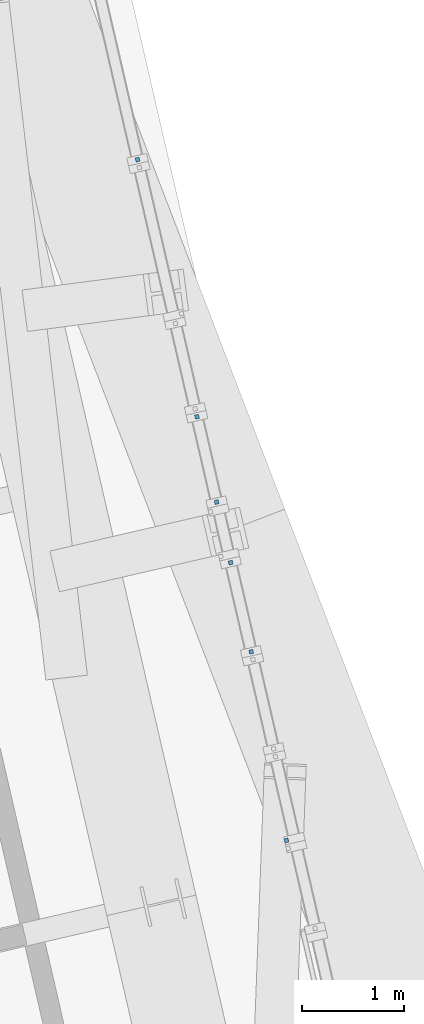
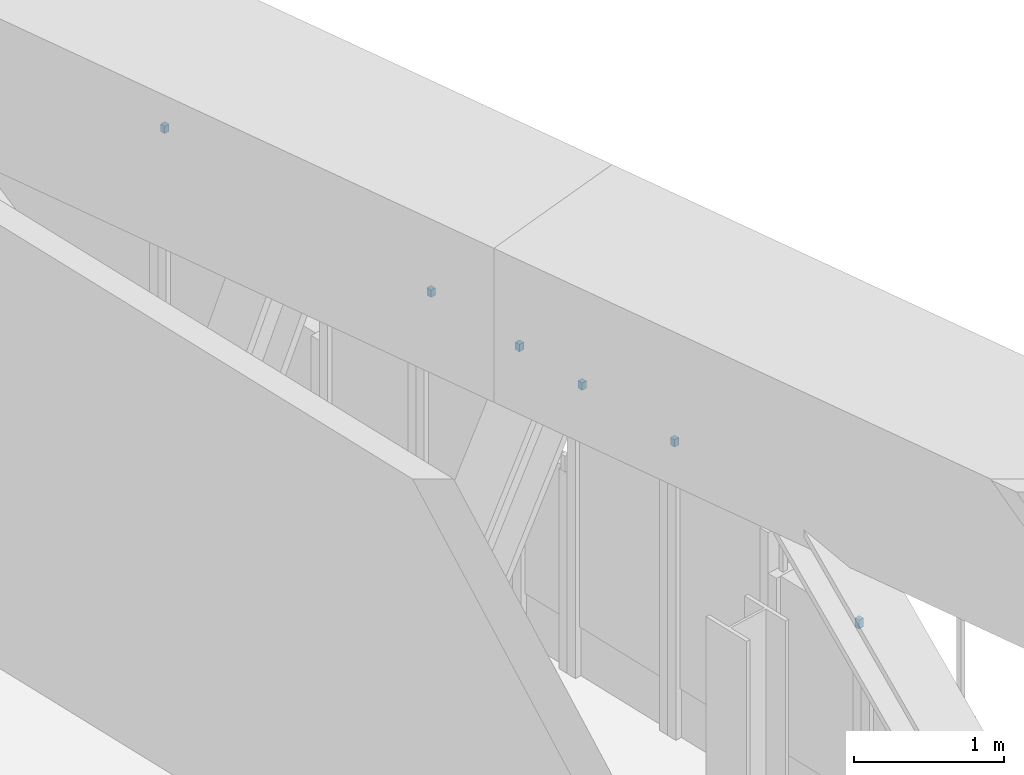
# One storey, part 27 of 31: 6 discrete accessories.
"""IFC4 building model written with IfcOpenShell, lengths in metres."""

from ifc_helpers import new_model, si_unit, direction, frame, origin, origin_2d, place, context, subcontext, project, spatial, rectangle, extrude, source, transform, mapped, material, element, save


model = new_model("IFC4")

# Units and contexts
model_context = context("Model", 3, precision=1e-05, world=origin(), true_north=direction((0.0, 1.0)))
body_context = subcontext(model_context, "Body", "Model", "MODEL_VIEW")
ifc_project = project(units=[si_unit("LENGTHUNIT", "METRE"), si_unit("AREAUNIT", "SQUARE_METRE"), si_unit("VOLUMEUNIT", "CUBIC_METRE"), si_unit("PLANEANGLEUNIT", "RADIAN"), si_unit("MASSUNIT", "GRAM", prefix="KILO")], contexts=[model_context])

# Site, building, storey
site_placement = place(None, origin())
site = spatial("IfcSite", under=ifc_project, at=site_placement, CompositionType="ELEMENT")
building_placement = place(site_placement, origin())
building = spatial("IfcBuilding", under=site, at=building_placement, Name="Triune Harvest Tower", CompositionType="ELEMENT")
storey_placement = place(building_placement, frame((0.0, 0.0, 134.300048828125)))
storey = spatial("IfcBuildingStorey", under=building, at=storey_placement, Name="L34", CompositionType="ELEMENT", Elevation=134.300048828125)

# Discrete accessories
ifc_material = material(Name="Steel ASTM A992 Gr 50", Category="steel")
shared_shape = source(origin(), body_context, "Body", "SweptSolid", [
    extrude(rectangle(XDim=0.0400390625, YDim=0.0400390625, at=origin_2d()), origin(), (0.0, 0.0, 1.0), 0.06005859375),
])
for number, where, z_axis, x_axis, name in (
    (1, (24.748291015625, -9.28955078125, 2.2900390625), (0.0, 0.0, 1.0), (-0.224971461453, 0.974365353208, 0.0), "Mullion end bracket B3-F1 L34.1001 upper"),
    (2, (24.545654296875, -8.41259765625, 2.2900390625), (0.0, 0.0, 1.0), (-0.224971461453, 0.974365353208, 0.0), "Mullion end bracket B3-F1 L34.1001 upper"),
    (3, (24.408203125, -7.816650390625, 2.2900390625), (0.0, 0.0, 1.0), (-0.224959557318, 0.97436810168, 0.0), "Mullion end bracket B3-F1 L34.1201 upper"),
    (4, (24.21435546875, -6.976806640625, 2.2900390625), (0.0, 0.0, 1.0), (-0.224959557318, 0.97436810168, 0.0), "Mullion end bracket B3-F1 L34.1201 upper"),
    (5, (23.630126953125, -4.4462890625, 2.2900390625), (0.0, 0.0, 1.0), (-0.224966359685, 0.974366531142, 0.0), "Mullion end bracket B3-F1 L34.1501 upper"),
):
    element("IfcDiscreteAccessory", number, at=place(storey_placement, frame(where, z_axis=z_axis, x_axis=x_axis)), inside=storey, material=ifc_material, Name=name, ObjectType="BRACKET", PredefinedType="USERDEFINED", context=body_context, shape_type="MappedRepresentation", body=[
        mapped(shared_shape, transform((0.0, 0.0, 0.0), scale=1.0)),
    ])
discrete_accessory_placement = place(storey_placement, frame((25.0947265625, -11.14599609375, 1.8173828125), z_axis=(0.0, 0.0, 1.0), x_axis=(-0.225003772508, 0.974357892336, 0.0)))
element("IfcDiscreteAccessory", 6, at=discrete_accessory_placement, inside=storey, material=ifc_material, Name="Mullion end bracket B3-F1 L34.801 upper", ObjectType="BRACKET", PredefinedType="USERDEFINED", context=body_context, shape_type="SweptSolid", body=[
    extrude(rectangle(XDim=0.0400390625, YDim=0.0400390625, at=origin_2d()), origin(), (0.0, 0.0, 1.0), 0.07275390625),
])

save(model, "model.ifc")
